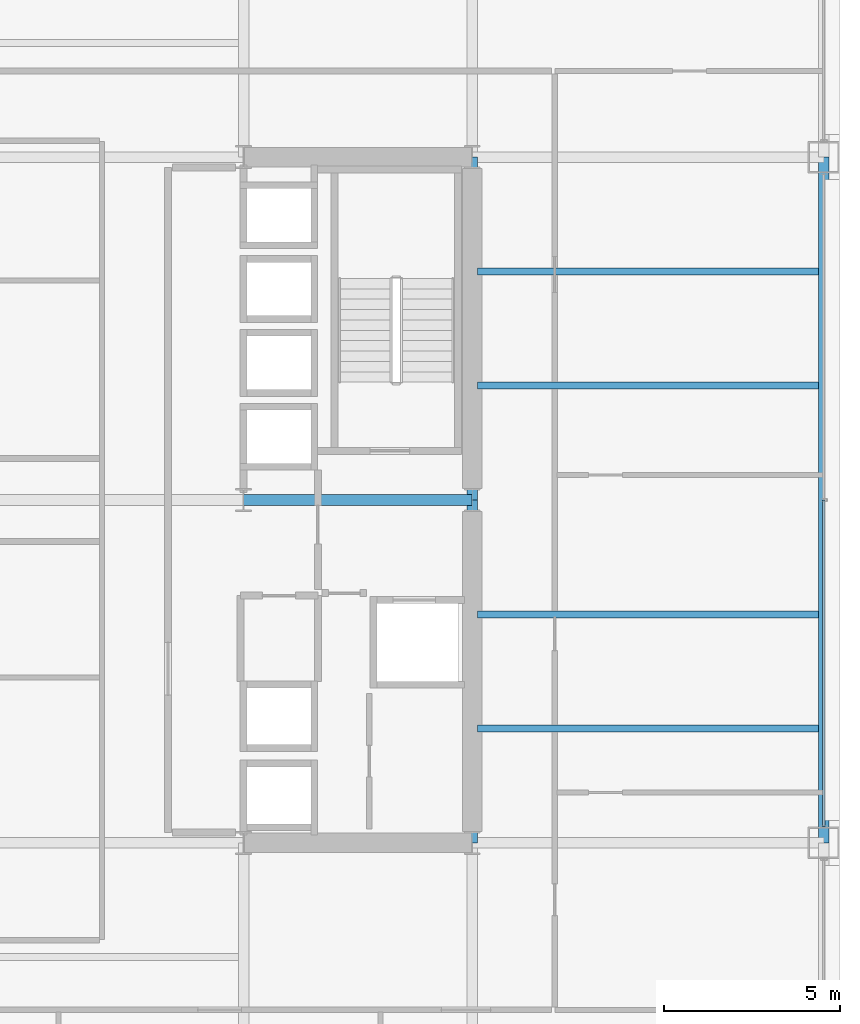
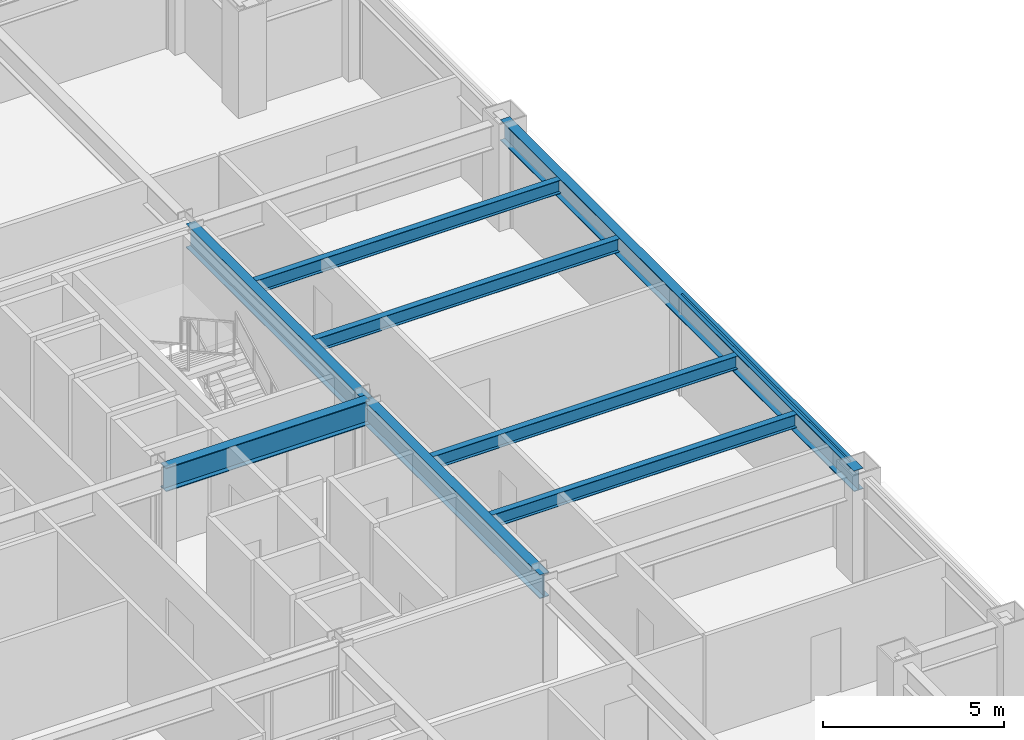
# One storey, part 13 of 29: 8 beams, 1 member, 1 element without a shape of its own.
"""IFC4 building model written with IfcOpenShell, lengths in metres."""

from ifc_helpers import new_model, si_unit, direction, frame, origin, origin_2d, place, context, subcontext, project, spatial, hollow_rectangle, i_section, extrude, material, layer, layer_set, material_profile, profile_set, type_object, element, aggregate, save


model = new_model("IFC4")

# Units and contexts
model_context = context("Model", 3, precision=1e-05, world=origin(), true_north=direction((0.0, 1.0)))
body_context = subcontext(model_context, "Body", "Model", "MODEL_VIEW")
ifc_project = project(units=[si_unit("LENGTHUNIT", "METRE"), si_unit("AREAUNIT", "SQUARE_METRE"), si_unit("VOLUMEUNIT", "CUBIC_METRE"), si_unit("PLANEANGLEUNIT", "RADIAN"), si_unit("MASSUNIT", "GRAM", prefix="KILO")], contexts=[model_context])

# Site, building, storey
site_placement = place(None, origin())
site = spatial("IfcSite", under=ifc_project, at=site_placement, CompositionType="ELEMENT")
building_placement = place(site_placement, origin())
building = spatial("IfcBuilding", under=site, at=building_placement, Name="Brelmoor Portico Tower", CompositionType="ELEMENT")
storey_placement = place(building_placement, frame((0.0, 0.0, 60.0)))
storey = spatial("IfcBuildingStorey", under=building, at=storey_placement, Name="L15", CompositionType="ELEMENT", Elevation=60.0)

# Beams
ifc_material_1 = material(Name="Steel Q355B", Category="steel")
ifc_material_profile_1 = material_profile(ifc_material_1, i_section(OverallWidth=0.199951171875, OverallDepth=0.449951171875, WebThickness=0.009033203125, FlangeThickness=0.013916015625, at=origin_2d()), Name="HN 450x200x9x14")
ifc_profile_set_1 = profile_set([ifc_material_profile_1], Name="Steel Q355B")
beam_type_1 = type_object("IfcBeamType", Name="BM-JS-450", PredefinedType="JOIST", material=ifc_profile_set_1)
for number, where, z_axis, x_axis, name in (
    (1, (14.699951171875, -6.5, 3.175048828125), (1.0, 0.0, 0.0), (0.0, 1.0, 0.0), "L15 Secondary Wing Joist JS-E09"),
    (2, (14.699951171875, -3.25, 3.175048828125), (1.0, 0.0, 0.0), (0.0, 1.0, 0.0), "L15 Secondary Wing Joist JS-E10"),
    (3, (14.699951171875, 3.25, 3.175048828125), (1.0, 0.0, 0.0), (0.0, 1.0, 0.0), "L15 Secondary Wing Joist JS-E11"),
    (4, (14.699951171875, 6.5, 3.175048828125), (1.0, 0.0, 0.0), (0.0, 1.0, 0.0), "L15 Secondary Wing Joist JS-E12"),
):
    element("IfcBeam", number, at=place(storey_placement, frame(where, z_axis=z_axis, x_axis=x_axis)), inside=storey, type_object=beam_type_1, Name=name, PredefinedType="JOIST", context=body_context, shape_type="SweptSolid", body=[
        extrude(i_section(OverallWidth=0.199951171875, OverallDepth=0.449951171875, WebThickness=0.009033203125, FlangeThickness=0.013916015625, at=origin_2d()), origin(), (0.0, 0.0, 1.0), 9.699951171875),
    ])
ifc_material_profile_2 = material_profile(ifc_material_1, i_section(OverallWidth=0.300048828125, OverallDepth=0.800048828125, WebThickness=0.013916015625, FlangeThickness=0.02587890625, at=origin_2d()), Name="HN 800x300x14x26")
ifc_profile_set_2 = profile_set([ifc_material_profile_2], Name="Steel Q355B")
beam_type_2 = type_object("IfcBeamType", Name="BM-PG-800", PredefinedType="BEAM", material=ifc_profile_set_2)
for number, where, z_axis, x_axis, name in (
    (5, (14.550048828125, -9.75, 3.0), (0.0, 1.0, 0.0), (-1.0, 0.0, 0.0), "L15 Primary Floor Girder PG-12"),
    (6, (14.550048828125, 0.0, 3.0), (0.0, 1.0, 0.0), (-1.0, 0.0, 0.0), "L15 Primary Floor Girder PG-13"),
):
    element("IfcBeam", number, at=place(storey_placement, frame(where, z_axis=z_axis, x_axis=x_axis)), inside=storey, type_object=beam_type_2, Name=name, PredefinedType="BEAM", context=body_context, shape_type="SweptSolid", body=[
        extrude(i_section(OverallWidth=0.300048828125, OverallDepth=0.800048828125, WebThickness=0.013916015625, FlangeThickness=0.02587890625, at=origin_2d()), origin(), (0.0, 0.0, 1.0), 9.75),
    ])
beam_1_placement = place(storey_placement, frame((8.050048828125, 0.0, 3.0), z_axis=(1.0, 0.0, 0.0), x_axis=(0.0, 1.0, 0.0)))
element("IfcBeam", 7, at=beam_1_placement, inside=storey, type_object=beam_type_2, Name="L15 Primary Floor Girder PG-26", PredefinedType="BEAM", context=body_context, shape_type="SweptSolid", body=[
    extrude(i_section(OverallWidth=0.300048828125, OverallDepth=0.800048828125, WebThickness=0.013916015625, FlangeThickness=0.02587890625, at=origin_2d()), origin(), (0.0, 0.0, 1.0), 6.5),
])
ifc_material_profile_3 = material_profile(ifc_material_1, i_section(OverallWidth=0.300048828125, OverallDepth=0.699951171875, WebThickness=0.012939453125, FlangeThickness=0.02392578125, at=origin_2d()), Name="HN 700x300x13x24")
ifc_profile_set_3 = profile_set([ifc_material_profile_3], Name="Steel Q355B")
beam_type_3 = type_object("IfcBeamType", Name="BM-SP-700", PredefinedType="SPANDREL", material=ifc_profile_set_3)
beam_2_placement = place(storey_placement, frame((24.550048828125, -9.75, 3.050048828125), z_axis=(0.0, 1.0, 0.0), x_axis=(-1.0, 0.0, 0.0)))
element("IfcBeam", 8, at=beam_2_placement, inside=storey, type_object=beam_type_3, Name="L15 Perimeter Spandrel Beam SP-23", PredefinedType="SPANDREL", context=body_context, shape_type="SweptSolid", body=[
    extrude(i_section(OverallWidth=0.300048828125, OverallDepth=0.699951171875, WebThickness=0.012939453125, FlangeThickness=0.02392578125, at=origin_2d()), origin(), (0.0, 0.0, 1.0), 19.5),
])

# Curtain wall, member
ifc_material_2 = material(Name="Anodised Aluminium Alloy 6063-T6", Category="aluminium")
ifc_layer = layer(ifc_material_2, 0.179931640625)
ifc_layer_set = layer_set([ifc_layer], Name="Anodised Aluminium Alloy 6063-T6")
curtain_wall_type = type_object("IfcCurtainWallType", Name="CW-TOWER-Z1-XB", PredefinedType="NOTDEFINED", material=ifc_layer_set)
curtain_wall_placement = place(storey_placement, origin())
curtain_wall = element("IfcCurtainWall", 9, at=curtain_wall_placement, inside=storey, type_object=curtain_wall_type, Name="L15 Curtain Wall CW-L15-04-2", PredefinedType="NOTDEFINED")
ifc_material_profile_4 = material_profile(ifc_material_2, hollow_rectangle(XDim=0.06494140625, YDim=0.139892578125, WallThickness=0.00390625, at=origin_2d()), Name="ALU TRANSOM 65x140")
ifc_profile_set_4 = profile_set([ifc_material_profile_4], Name="Anodised Aluminium Alloy 6063-T6")
member_type = type_object("IfcMemberType", Name="MB-CW-TRAN-140", PredefinedType="USERDEFINED", material=ifc_profile_set_4)
member_placement = place(storey_placement, frame((24.550048828125, -9.2900390625, 3.330078125), z_axis=(0.0, 1.0, 0.0), x_axis=(-1.0, 0.0, 0.0)))
member = element("IfcMember", 10, at=member_placement, type_object=member_type, Name="CW-L15-04-2 Transom 1-00", ObjectType="TRANSOM", PredefinedType="USERDEFINED", context=body_context, shape_type="SweptSolid", body=[
    extrude(hollow_rectangle(XDim=0.06494140625, YDim=0.139892578125, WallThickness=0.00390625, at=origin_2d()), origin(), (0.0, 0.0, 1.0), 9.2900390625),
])
aggregate(curtain_wall, [member])

save(model, "model.ifc")
